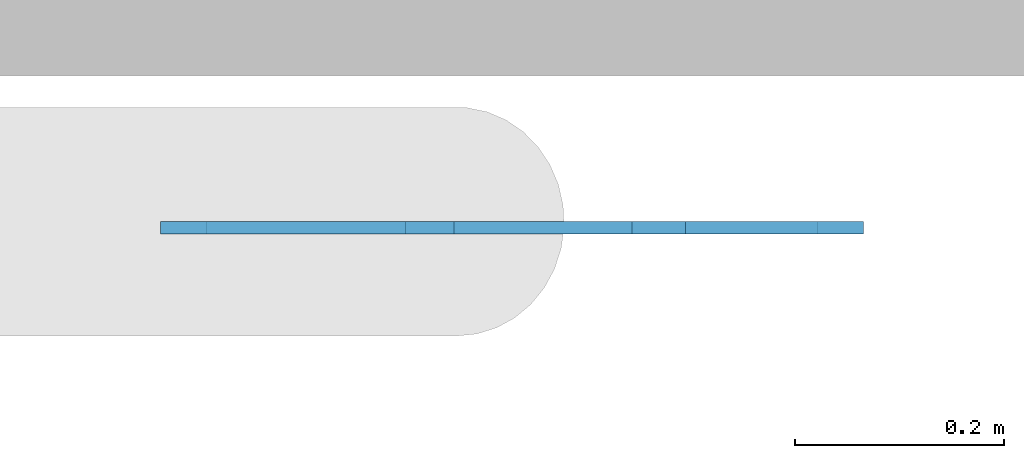
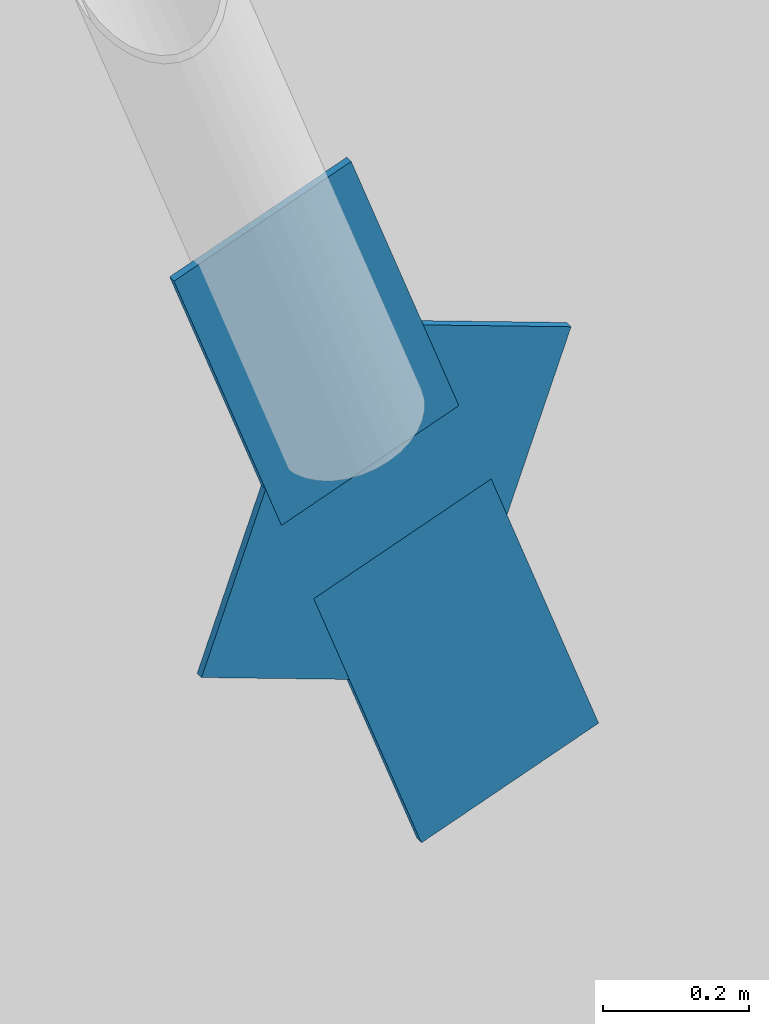
# One storey, part 161 of 198: 3 discrete accessories.
"""IFC4 building model written with IfcOpenShell, lengths in metres."""

from ifc_helpers import new_model, si_unit, direction, frame, origin, place, context, subcontext, project, spatial, polyline, outline, extrude, material, layer, layer_set, type_object, element, save


model = new_model("IFC4")

# Units and contexts
model_context = context("Model", 3, precision=1e-05, world=origin(), true_north=direction((0.0, 1.0)))
body_context = subcontext(model_context, "Body", "Model", "MODEL_VIEW")
ifc_project = project(units=[si_unit("LENGTHUNIT", "METRE"), si_unit("AREAUNIT", "SQUARE_METRE"), si_unit("VOLUMEUNIT", "CUBIC_METRE"), si_unit("PLANEANGLEUNIT", "RADIAN"), si_unit("MASSUNIT", "GRAM", prefix="KILO")], contexts=[model_context])

# Site, building, storey
site_placement = place(None, origin())
site = spatial("IfcSite", under=ifc_project, at=site_placement, CompositionType="ELEMENT")
building_placement = place(site_placement, origin())
building = spatial("IfcBuilding", under=site, at=building_placement, Name="Parallax Yard Mobility Hub", CompositionType="ELEMENT")
storey_placement = place(building_placement, frame((0.0, 0.0, 6.60009765625)))
storey = spatial("IfcBuildingStorey", under=building, at=storey_placement, Name="L02", CompositionType="ELEMENT", Elevation=6.60009765625)

# Discrete accessories
ifc_material = material(Name="Steel ASTM A36", Category="steel")
ifc_layer = layer(ifc_material, 0.011962890625)
ifc_layer_set = layer_set([ifc_layer], Name="Gusset plate PL12")
discrete_accessory_type = type_object("IfcDiscreteAccessoryType", Name="Gusset plate PL12", PredefinedType="BRACKET", material=ifc_layer_set)
for number, where, z_axis, x_axis, name in (
    (1, (12.0556640625, 7.5, 1.059326171875), (0.0, 1.0, 0.0), (-0.341939443263, 0.0, 0.939721989282), "Gusset plate PL12 at end 2 of X brace west end bay south face level 0 2 (half 1)"),
    (2, (11.9443359375, 7.5, 2.240478515625), (0.0, 1.0, 0.0), (0.341939443263, 0.0, -0.939721989282), "Gusset plate PL12 at end 1 of X brace west end bay south face level 0 2 (half 2)"),
):
    element("IfcDiscreteAccessory", number, at=place(storey_placement, frame(where, z_axis=z_axis, x_axis=x_axis)), inside=storey, type_object=discrete_accessory_type, Name=name, PredefinedType="BRACKET", context=body_context, shape_type="SweptSolid", body=[
        extrude(outline(polyline([(0.0, 0.0), (0.49907754205382043, 2.7755575615628914e-17), (0.49903586111393883, 0.29927547812026234), (4.18003695087793e-05, 0.29904605380647264), (0.0, 0.0)])), origin(), (0.0, 0.0, -1.0), 0.011962890625),
    ])
discrete_accessory_placement = place(storey_placement, frame((11.70703125, 7.5, 1.45849609375), z_axis=(0.0, 1.0, 0.0), x_axis=(0.341357987964, 0.0, 0.939933361496)))
element("IfcDiscreteAccessory", 3, at=discrete_accessory_placement, inside=storey, type_object=discrete_accessory_type, Name="Gusset plate PL12 crossing node of X brace west end bay south face level 0 2", PredefinedType="BRACKET", context=body_context, shape_type="SweptSolid", body=[
    extrude(outline(polyline([(0.0, 0.0), (0.5600047929592742, 0.0), (0.5598326860205238, 0.42006609923385346), (-0.00017210693875047145, 0.42006609923385346), (0.0, 0.0)])), origin(), (0.0, 0.0, -1.0), 0.011962890625),
])

save(model, "model.ifc")
